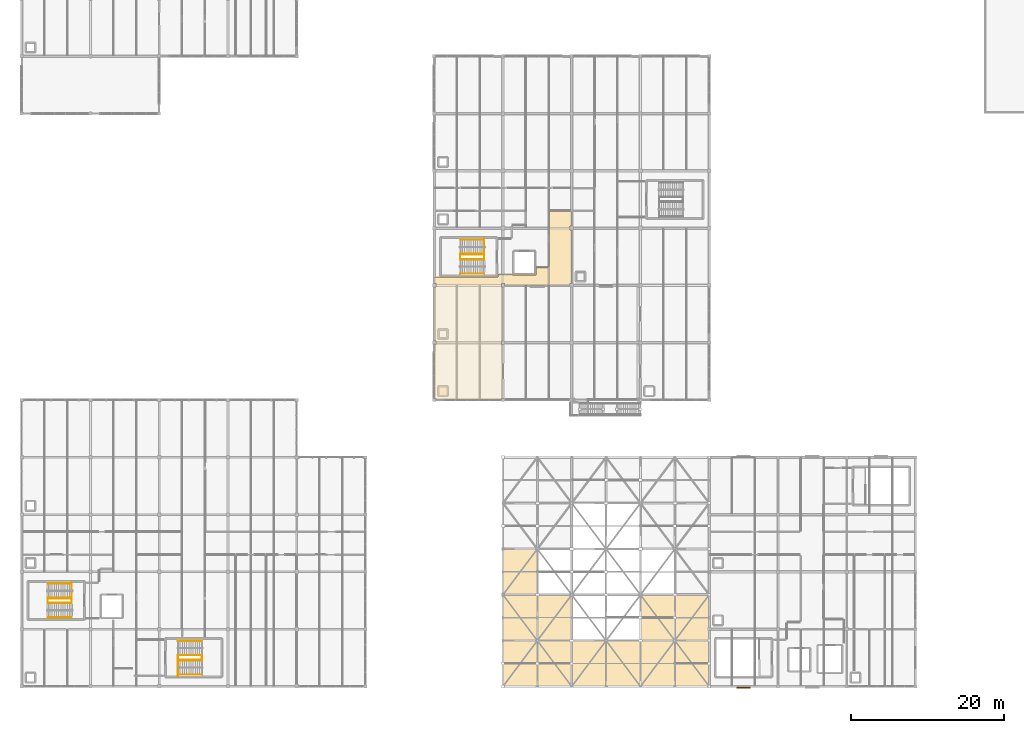
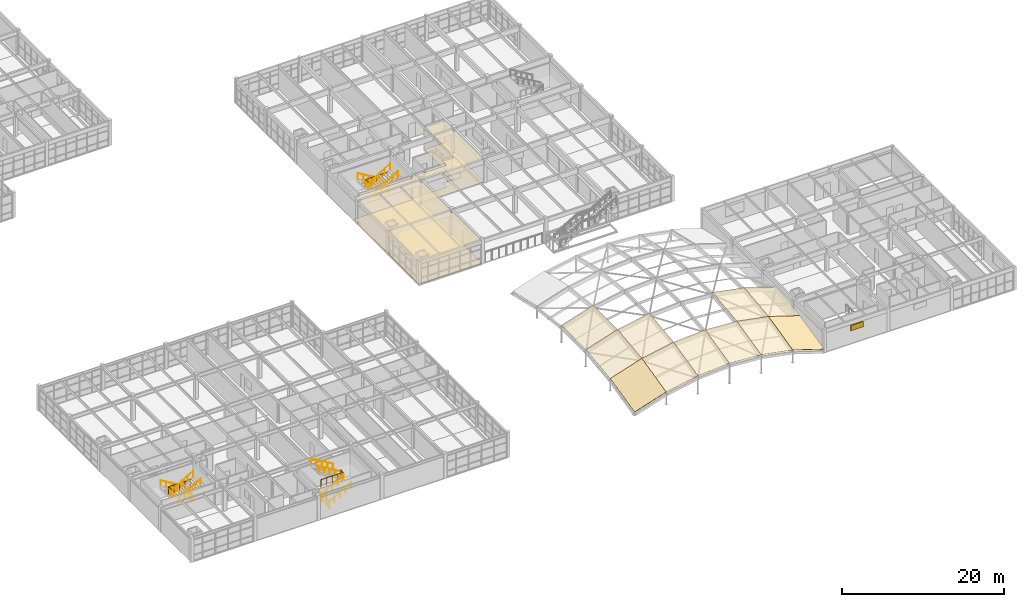
# One storey, part 79 of 81: 18 railings, 13 coverings, 1 shading device.
"""IFC4 building model written with IfcOpenShell, lengths in metres."""

from ifc_helpers import new_model, si_unit, direction, frame, origin, origin_2d, place, context, subcontext, project, spatial, polyline, rectangle, circle, outline, extrude, material, layer, layer_set, type_object, element, save


model = new_model("IFC4")

# Units and contexts
model_context = context("Model", 3, precision=1e-05, world=origin(), true_north=direction((0.0, 1.0)))
body_context = subcontext(model_context, "Body", "Model", "MODEL_VIEW")
ifc_project = project(units=[si_unit("LENGTHUNIT", "METRE"), si_unit("AREAUNIT", "SQUARE_METRE"), si_unit("VOLUMEUNIT", "CUBIC_METRE"), si_unit("PLANEANGLEUNIT", "RADIAN"), si_unit("MASSUNIT", "GRAM", prefix="KILO")], contexts=[model_context])

# Site, building, storey
site_placement = place(None, origin())
site = spatial("IfcSite", under=ifc_project, at=site_placement, CompositionType="ELEMENT")
building_placement = place(site_placement, origin())
building = spatial("IfcBuilding", under=site, at=building_placement, Name="Marnridge Secondary College", CompositionType="ELEMENT")
storey_placement = place(building_placement, frame((0.0, 0.0, 8.5)))
storey = spatial("IfcBuildingStorey", under=building, at=storey_placement, Name="L02", CompositionType="ELEMENT", Elevation=8.5)

# Coverings
ifc_material_1 = material(Name="Perforated acoustic mineral-fibre ceiling tile", Category="gypsum")
ifc_layer_1 = layer(ifc_material_1, 0.02490234375)
ifc_layer_set_1 = layer_set([ifc_layer_1], Name="CV-CEIL-AC")
covering_type_1 = type_object("IfcCoveringType", Name="CV-CEIL-AC", PredefinedType="CEILING", material=ifc_layer_set_1)
covering_1_placement = place(storey_placement, frame((0.0, 0.0, 3.280029296875)))
element("IfcCovering", 1, at=covering_1_placement, inside=storey, type_object=covering_type_1, Name="Acoustic ceiling CVC-003", PredefinedType="CEILING", context=body_context, shape_type="SweptSolid", body=[
    extrude(outline(polyline([(64.258544921875, 53.858642578125), (64.258544921875, 53.858642578125), (64.2587890625, 53.8583984375), (64.2587890625, 53.8583984375), (64.259033203125, 53.858154296875), (64.25927734375, 53.858154296875), (64.259521484375, 53.858154296875), (64.259521484375, 53.85791015625), (64.259765625, 53.85791015625), (64.260009765625, 53.85791015625), (67.340087890625, 53.85791015625), (67.340087890625, 53.85791015625), (67.34033203125, 53.85791015625), (67.340576171875, 53.858154296875), (67.3408203125, 53.858154296875), (67.3408203125, 53.858154296875), (67.341064453125, 53.8583984375), (67.34130859375, 53.8583984375), (67.34130859375, 53.858642578125), (67.341552734375, 53.858642578125), (67.341796875, 53.85888671875), (67.341796875, 53.859130859375), (67.341796875, 53.859130859375), (67.341796875, 53.859375), (67.342041015625, 53.859619140625), (67.342041015625, 53.85986328125), (67.342041015625, 53.860107421875), (67.342041015625, 54.847900390625), (68.89990234375, 54.847900390625), (68.900146484375, 54.847900390625), (68.900390625, 54.847900390625), (68.900634765625, 54.84814453125), (68.90087890625, 54.84814453125), (68.90087890625, 54.84814453125), (68.901123046875, 54.848388671875), (68.9013671875, 54.848388671875), (68.9013671875, 54.8486328125), (68.901611328125, 54.8486328125), (68.901611328125, 54.848876953125), (68.90185546875, 54.84912109375), (68.90185546875, 54.84912109375), (68.90185546875, 54.849365234375), (68.902099609375, 54.849609375), (68.902099609375, 54.849853515625), (68.902099609375, 54.85009765625), (68.902099609375, 55.048095703125), (69.0, 55.048095703125), (69.000244140625, 55.048095703125), (69.00048828125, 55.048095703125), (69.00048828125, 55.048095703125), (69.000732421875, 55.048095703125), (69.0009765625, 55.048095703125), (69.001220703125, 55.04833984375), (69.001220703125, 55.048583984375), (69.00146484375, 55.048583984375), (69.00146484375, 55.048583984375), (69.001708984375, 55.048828125), (69.001708984375, 55.049072265625), (69.001708984375, 55.04931640625), (69.001953125, 55.04931640625), (69.001953125, 55.049560546875), (69.001953125, 55.0498046875), (69.001953125, 55.050048828125), (69.001953125, 62.248046875), (71.998046875, 62.248046875), (71.998046875, 60.25), (71.75, 60.25), (71.75, 59.75), (71.998046875, 59.75), (71.998046875, 52.72509765625), (71.77490234375, 52.72509765625), (71.77490234375, 52.501953125), (63.22509765625, 52.501953125), (63.22509765625, 52.72509765625), (62.77490234375, 52.72509765625), (62.77490234375, 52.27490234375), (62.998046875, 52.27490234375), (62.998046875, 45.22509765625), (62.77490234375, 45.22509765625), (62.77490234375, 44.77490234375), (62.998046875, 44.77490234375), (62.998046875, 37.699951171875), (62.800048828125, 37.699951171875), (62.800048828125, 37.501953125), (54.199951171875, 37.501953125), (54.199951171875, 37.699951171875), (54.001953125, 37.699951171875), (54.001953125, 44.77490234375), (54.22509765625, 44.77490234375), (54.22509765625, 45.22509765625), (54.001953125, 45.22509765625), (54.001953125, 52.27490234375), (54.22509765625, 52.27490234375), (54.22509765625, 52.72509765625), (54.001953125, 52.72509765625), (54.001953125, 53.60791015625), (62.340087890625, 53.60791015625), (62.340087890625, 53.60791015625), (62.34033203125, 53.60791015625), (62.340576171875, 53.608154296875), (62.3408203125, 53.608154296875), (62.3408203125, 53.608154296875), (62.341064453125, 53.6083984375), (62.34130859375, 53.6083984375), (62.34130859375, 53.608642578125), (62.341552734375, 53.608642578125), (62.341796875, 53.60888671875), (62.341796875, 53.609130859375), (62.341796875, 53.609130859375), (62.341796875, 53.609375), (62.342041015625, 53.609619140625), (62.342041015625, 53.60986328125), (62.342041015625, 53.610107421875), (62.342041015625, 53.89794921875), (64.258056640625, 53.89794921875), (64.258056640625, 53.860107421875), (64.258056640625, 53.85986328125), (64.258056640625, 53.859619140625), (64.258056640625, 53.859375), (64.25830078125, 53.859130859375), (64.25830078125, 53.859130859375), (64.25830078125, 53.85888671875), (64.258544921875, 53.858642578125)])), origin(), (0.0, 0.0, 1.0), 0.02490234375),
])
ifc_material_2 = material(Name="Acoustic natural linoleum classroom flooring", Category="wood")
ifc_layer_2 = layer(ifc_material_2, 0.011962890625)
ifc_layer_set_2 = layer_set([ifc_layer_2], Name="CV-FLR-LINO")
covering_type_2 = type_object("IfcCoveringType", Name="CV-FLR-LINO", PredefinedType="FLOORING", material=ifc_layer_set_2)
covering_2_placement = place(storey_placement, origin())
element("IfcCovering", 2, at=covering_2_placement, inside=storey, type_object=covering_type_2, Name="Linoleum flooring CVF-003", PredefinedType="FLOORING", context=body_context, shape_type="SweptSolid", body=[
    extrude(outline(polyline([(64.258544921875, 53.858642578125), (64.258544921875, 53.858642578125), (64.2587890625, 53.8583984375), (64.2587890625, 53.8583984375), (64.259033203125, 53.858154296875), (64.25927734375, 53.858154296875), (64.259521484375, 53.858154296875), (64.259521484375, 53.85791015625), (64.259765625, 53.85791015625), (64.260009765625, 53.85791015625), (67.340087890625, 53.85791015625), (67.340087890625, 53.85791015625), (67.34033203125, 53.85791015625), (67.340576171875, 53.858154296875), (67.3408203125, 53.858154296875), (67.3408203125, 53.858154296875), (67.341064453125, 53.8583984375), (67.34130859375, 53.8583984375), (67.34130859375, 53.858642578125), (67.341552734375, 53.858642578125), (67.341796875, 53.85888671875), (67.341796875, 53.859130859375), (67.341796875, 53.859130859375), (67.341796875, 53.859375), (67.342041015625, 53.859619140625), (67.342041015625, 53.85986328125), (67.342041015625, 53.860107421875), (67.342041015625, 54.847900390625), (68.89990234375, 54.847900390625), (68.900146484375, 54.847900390625), (68.900390625, 54.847900390625), (68.900634765625, 54.84814453125), (68.90087890625, 54.84814453125), (68.90087890625, 54.84814453125), (68.901123046875, 54.848388671875), (68.9013671875, 54.848388671875), (68.9013671875, 54.8486328125), (68.901611328125, 54.8486328125), (68.901611328125, 54.848876953125), (68.90185546875, 54.84912109375), (68.90185546875, 54.84912109375), (68.90185546875, 54.849365234375), (68.902099609375, 54.849609375), (68.902099609375, 54.849853515625), (68.902099609375, 54.85009765625), (68.902099609375, 55.048095703125), (69.0, 55.048095703125), (69.000244140625, 55.048095703125), (69.00048828125, 55.048095703125), (69.00048828125, 55.048095703125), (69.000732421875, 55.048095703125), (69.0009765625, 55.048095703125), (69.001220703125, 55.04833984375), (69.001220703125, 55.048583984375), (69.00146484375, 55.048583984375), (69.00146484375, 55.048583984375), (69.001708984375, 55.048828125), (69.001708984375, 55.049072265625), (69.001708984375, 55.04931640625), (69.001953125, 55.04931640625), (69.001953125, 55.049560546875), (69.001953125, 55.0498046875), (69.001953125, 55.050048828125), (69.001953125, 62.248046875), (71.998046875, 62.248046875), (71.998046875, 60.25), (71.75, 60.25), (71.75, 59.75), (71.998046875, 59.75), (71.998046875, 52.72509765625), (71.77490234375, 52.72509765625), (71.77490234375, 52.501953125), (63.22509765625, 52.501953125), (63.22509765625, 52.72509765625), (62.77490234375, 52.72509765625), (62.77490234375, 52.27490234375), (62.998046875, 52.27490234375), (62.998046875, 45.22509765625), (62.77490234375, 45.22509765625), (62.77490234375, 44.77490234375), (62.998046875, 44.77490234375), (62.998046875, 37.699951171875), (62.800048828125, 37.699951171875), (62.800048828125, 37.501953125), (54.199951171875, 37.501953125), (54.199951171875, 37.699951171875), (54.001953125, 37.699951171875), (54.001953125, 44.77490234375), (54.22509765625, 44.77490234375), (54.22509765625, 45.22509765625), (54.001953125, 45.22509765625), (54.001953125, 52.27490234375), (54.22509765625, 52.27490234375), (54.22509765625, 52.72509765625), (54.001953125, 52.72509765625), (54.001953125, 53.60791015625), (62.340087890625, 53.60791015625), (62.340087890625, 53.60791015625), (62.34033203125, 53.60791015625), (62.340576171875, 53.608154296875), (62.3408203125, 53.608154296875), (62.3408203125, 53.608154296875), (62.341064453125, 53.6083984375), (62.34130859375, 53.6083984375), (62.34130859375, 53.608642578125), (62.341552734375, 53.608642578125), (62.341796875, 53.60888671875), (62.341796875, 53.609130859375), (62.341796875, 53.609130859375), (62.341796875, 53.609375), (62.342041015625, 53.609619140625), (62.342041015625, 53.60986328125), (62.342041015625, 53.610107421875), (62.342041015625, 53.89794921875), (64.258056640625, 53.89794921875), (64.258056640625, 53.860107421875), (64.258056640625, 53.85986328125), (64.258056640625, 53.859619140625), (64.258056640625, 53.859375), (64.25830078125, 53.859130859375), (64.25830078125, 53.859130859375), (64.25830078125, 53.85888671875), (64.258544921875, 53.858642578125)])), origin(), (0.0, 0.0, 1.0), 0.011962890625),
])
ifc_material_3 = material(Name="Pre-weathered standing-seam zinc roofing", Category="steel")
ifc_layer_3 = layer(ifc_material_3, 0.044921875)
ifc_layer_set_3 = layer_set([ifc_layer_3], Name="CV-ROOF-ZINC")
covering_type_3 = type_object("IfcCoveringType", Name="CV-ROOF-ZINC", PredefinedType="ROOFING", material=ifc_layer_set_3)
covering_3_placement = place(storey_placement, frame((63.0, 0.0, 0.382568359375), z_axis=(-0.298253735682, -0.218056452038, 0.929244904681), x_axis=(0.952157472021, 0.0, 0.305607834444)))
element("IfcCovering", 3, at=covering_3_placement, inside=storey, type_object=covering_type_3, Name="Standing-seam zinc roof panel CVR-V3-0101", PredefinedType="ROOFING", context=body_context, shape_type="SweptSolid", body=[
    extrude(outline(polyline([(0.0, 0.0), (4.726109002165947, -5.551115123125783e-17), (5.156392298367292, 6.147943134633922), (0.43028329620134503, 6.147943134633923), (0.0, 0.0)])), origin(), (0.0, 0.0, -1.0), 0.044921875),
])
covering_4_placement = place(storey_placement, frame((63.0, 6.0, 1.79052734375), z_axis=(-0.303741720179, -0.111025004243, 0.946263396659), x_axis=(0.952150048565, -2.713558e-06, 0.305630962127)))
element("IfcCovering", 4, at=covering_4_placement, inside=storey, type_object=covering_type_3, Name="Standing-seam zinc roof panel CVR-V3-0102", PredefinedType="ROOFING", context=body_context, shape_type="SweptSolid", body=[
    extrude(outline(polyline([(0.0, 0.0), (4.7261090007543505, 2.7755575615628914e-17), (4.941287957386338, 6.0373385703963125), (0.2151043396978746, 6.037312761488255), (0.0, 0.0)])), origin(), (0.0, 0.0, -1.0), 0.044921875),
])
covering_5_placement = place(storey_placement, frame((63.0, 12.0, 2.494384765625), z_axis=(-0.30565466654, 0.0, 0.952142439356), x_axis=(0.952142439356, 0.0, 0.30565466654)))
element("IfcCovering", 5, at=covering_5_placement, inside=storey, type_object=covering_type_3, Name="Standing-seam zinc roof panel CVR-V3-0103", PredefinedType="ROOFING", context=body_context, shape_type="SweptSolid", body=[
    extrude(outline(polyline([(0.0, 0.0), (4.726183619170507, 0.0), (4.726183619170507, 6.0), (0.0, 6.0), (0.0, 0.0)])), origin(), (0.0, 0.0, -1.0), 0.044921875),
])
covering_6_placement = place(storey_placement, frame((67.5, 0.0, 1.826904296875), z_axis=(-0.1842946687, -0.224540990364, 0.956878685485), x_axis=(0.981953209644, 0.0, 0.189124017699)))
element("IfcCovering", 6, at=covering_6_placement, inside=storey, type_object=covering_type_3, Name="Standing-seam zinc roof panel CVR-V3-0201", PredefinedType="ROOFING", context=body_context, shape_type="SweptSolid", body=[
    extrude(outline(polyline([(0.0, 0.0), (4.5827030817828325, -2.7755575615628914e-17), (4.84898194166374, 6.15722697896243), (0.2662788598809081, 6.15722697896243), (0.0, 0.0)])), origin(), (0.0, 0.0, -1.0), 0.044921875),
])
covering_7_placement = place(storey_placement, frame((67.5, 6.0, 3.23486328125), z_axis=(-0.187880742118, -0.11447494231, 0.975497982737), x_axis=(0.981953209644, 0.0, 0.189124017699)))
element("IfcCovering", 7, at=covering_7_placement, inside=storey, type_object=covering_type_3, Name="Standing-seam zinc roof panel CVR-V3-0202", PredefinedType="ROOFING", context=body_context, shape_type="SweptSolid", body=[
    extrude(outline(polyline([(0.0, 0.0), (4.5827030817828325, 0.0), (4.715865598151228, 6.039704194292084), (0.13316251636839585, 6.039704194292084), (0.0, 0.0)])), origin(), (0.0, 0.0, -1.0), 0.044921875),
])
covering_8_placement = place(storey_placement, frame((72.0, 0.0, 2.693603515625), z_axis=(-0.062362923311, -0.228009496238, 0.971659680866), x_axis=(0.997946686081, 0.0, 0.064050072137)))
element("IfcCovering", 8, at=covering_8_placement, inside=storey, type_object=covering_type_3, Name="Standing-seam zinc roof panel CVR-V3-0301", PredefinedType="ROOFING", context=body_context, shape_type="SweptSolid", body=[
    extrude(outline(polyline([(0.0, 0.0), (4.5092589241151435, -1.3877787807814457e-17), (4.599438798630617, 6.162322296984689), (0.09017987451547263, 6.162322296984689), (0.0, 0.0)])), origin(), (0.0, 0.0, -1.0), 0.044921875),
])
covering_9_placement = place(storey_placement, frame((76.5, 0.0, 2.982421875), z_axis=(0.062362923311, -0.228009496238, 0.971659680866), x_axis=(0.997946686081, 0.0, -0.064050072137)))
element("IfcCovering", 9, at=covering_9_placement, inside=storey, type_object=covering_type_3, Name="Standing-seam zinc roof panel CVR-V3-0401", PredefinedType="ROOFING", context=body_context, shape_type="SweptSolid", body=[
    extrude(outline(polyline([(0.0, 0.0), (4.5092589241151435, 1.3877787807814457e-17), (4.419079049599671, 6.16232229698469), (-0.09017987451547263, 6.162322296984689), (0.0, 0.0)])), origin(), (0.0, 0.0, -1.0), 0.044921875),
])
covering_10_placement = place(storey_placement, frame((81.0, 0.0, 2.693603515625), z_axis=(0.1842946687, -0.224540990364, 0.956878685485), x_axis=(0.981953209644, 0.0, -0.189124017699)))
element("IfcCovering", 10, at=covering_10_placement, inside=storey, type_object=covering_type_3, Name="Standing-seam zinc roof panel CVR-V3-0501", PredefinedType="ROOFING", context=body_context, shape_type="SweptSolid", body=[
    extrude(outline(polyline([(0.0, 0.0), (4.5827030817828325, 2.7755575615628914e-17), (4.316424221901924, 6.157226978962431), (-0.2662788598809081, 6.15722697896243), (0.0, 0.0)])), origin(), (0.0, 0.0, -1.0), 0.044921875),
])
covering_11_placement = place(storey_placement, frame((81.0, 6.0, 4.1015625), z_axis=(0.187880742118, -0.11447494231, 0.975497982737), x_axis=(0.981953209644, 0.0, -0.189124017699)))
element("IfcCovering", 11, at=covering_11_placement, inside=storey, type_object=covering_type_3, Name="Standing-seam zinc roof panel CVR-V3-0502", PredefinedType="ROOFING", context=body_context, shape_type="SweptSolid", body=[
    extrude(outline(polyline([(0.0, 0.0), (4.5827030817828325, 0.0), (4.449540565414436, 6.039704194292084), (-0.13316251636839585, 6.039704194292084), (0.0, 0.0)])), origin(), (0.0, 0.0, -1.0), 0.044921875),
])
covering_12_placement = place(storey_placement, frame((85.5, 0.0, 1.826904296875), z_axis=(0.298253735682, -0.218056452038, 0.929244904681), x_axis=(0.952157472021, 0.0, -0.305607834444)))
element("IfcCovering", 12, at=covering_12_placement, inside=storey, type_object=covering_type_3, Name="Standing-seam zinc roof panel CVR-V3-0601", PredefinedType="ROOFING", context=body_context, shape_type="SweptSolid", body=[
    extrude(outline(polyline([(0.0, 0.0), (4.726109002165947, 5.551115123125783e-17), (4.295825705964602, 6.147943134633923), (-0.43028329620134503, 6.147943134633923), (0.0, 0.0)])), origin(), (0.0, 0.0, -1.0), 0.044921875),
])
covering_13_placement = place(storey_placement, frame((85.5, 6.0, 3.23486328125), z_axis=(0.303741720179, -0.111025004243, 0.946263396659), x_axis=(0.952150048565, 2.713558e-06, -0.305630962127)))
element("IfcCovering", 13, at=covering_13_placement, inside=storey, type_object=covering_type_3, Name="Standing-seam zinc roof panel CVR-V3-0602", PredefinedType="ROOFING", context=body_context, shape_type="SweptSolid", body=[
    extrude(outline(polyline([(0.0, 0.0), (4.7261090007543505, -2.7755575615628914e-17), (4.511004661056476, 6.037312761488255), (-0.21517895663198763, 6.0373385703963125), (0.0, 0.0)])), origin(), (0.0, 0.0, -1.0), 0.044921875),
])

# Railings
ifc_material_4 = material(Name="Stainless steel Grade 350 (350 MPa) 48 mm handrail", Category="steel")
railing_type_1 = type_object("IfcRailingType", Name="RL-HND-900", PredefinedType="HANDRAIL", material=ifc_material_4)
for number, where, name in (
    (14, (60.550048828125, 56.590087890625, 0.0), "Stair handrail HR-013"),
    (15, (60.550048828125, 58.469970703125, 0.0), "Stair handrail HR-014"),
):
    element("IfcRailing", number, at=place(storey_placement, frame(where)), inside=storey, type_object=railing_type_1, Name=name, PredefinedType="HANDRAIL", context=body_context, shape_type="SweptSolid", body=[
        extrude(circle(Radius=0.02392578125, at=origin_2d()), frame((0.0, 0.0, 0.8759765625), z_axis=(-0.855210355142, 0.0, 0.518281051609), x_axis=(0.0, -1.0, 0.0)), (0.0, 0.0, 1.0), 3.665771484375),
        extrude(circle(Radius=0.02099609375, at=origin_2d()), origin(), (0.0, 0.0, 1.0), 0.851806640625),
        extrude(circle(Radius=0.02099609375, at=origin_2d()), frame((-0.78369140625, 0.0, 0.47509765625)), (0.0, 0.0, 1.0), 0.851806640625),
        extrude(circle(Radius=0.02099609375, at=origin_2d()), frame((-1.5673828125, 0.0, 0.949951171875)), (0.0, 0.0, 1.0), 0.851806640625),
        extrude(circle(Radius=0.02099609375, at=origin_2d()), frame((-2.351318359375, 0.0, 1.4248046875)), (0.0, 0.0, 1.0), 0.851806640625),
        extrude(circle(Radius=0.02099609375, at=origin_2d()), frame((-3.135009765625, 0.0, 1.89990234375)), (0.0, 0.0, 1.0), 0.851806640625),
    ])
for number, where, name in (
    (16, (57.4150390625, 54.030029296875, 1.89990234375), "Stair handrail HR-015"),
    (17, (57.4150390625, 55.909912109375, 1.89990234375), "Stair handrail HR-016"),
):
    element("IfcRailing", number, at=place(storey_placement, frame(where)), inside=storey, type_object=railing_type_1, Name=name, PredefinedType="HANDRAIL", context=body_context, shape_type="SweptSolid", body=[
        extrude(circle(Radius=0.02392578125, at=origin_2d()), frame((0.0, 0.0, 0.8759765625), z_axis=(0.855180835044, 0.0, 0.518329759298), x_axis=(0.0, 1.0, 0.0)), (0.0, 0.0, 1.0), 3.666015625),
        extrude(circle(Radius=0.02099609375, at=origin_2d()), origin(), (0.0, 0.0, 1.0), 0.851806640625),
        extrude(circle(Radius=0.02099609375, at=origin_2d()), frame((0.78369140625, 0.0, 0.47509765625)), (0.0, 0.0, 1.0), 0.851806640625),
        extrude(circle(Radius=0.02099609375, at=origin_2d()), frame((1.5673828125, 0.0, 0.9501953125)), (0.0, 0.0, 1.0), 0.851806640625),
        extrude(circle(Radius=0.02099609375, at=origin_2d()), frame((2.351318359375, 0.0, 1.425048828125)), (0.0, 0.0, 1.0), 0.851806640625),
        extrude(circle(Radius=0.02099609375, at=origin_2d()), frame((3.135009765625, 0.0, 1.900146484375)), (0.0, 0.0, 1.0), 0.851806640625),
    ])
for number, where, name in (
    (18, (6.550048828125, 11.590087890625, 0.0), "Stair handrail HR-073"),
    (19, (6.550048828125, 13.469970703125, 0.0), "Stair handrail HR-074"),
):
    element("IfcRailing", number, at=place(storey_placement, frame(where)), inside=storey, type_object=railing_type_1, Name=name, PredefinedType="HANDRAIL", context=body_context, shape_type="SweptSolid", body=[
        extrude(circle(Radius=0.02392578125, at=origin_2d()), frame((0.0, 0.0, 0.8759765625), z_axis=(-0.855210355142, 0.0, 0.518281051609), x_axis=(0.0, -1.0, 0.0)), (0.0, 0.0, 1.0), 3.665771484375),
        extrude(circle(Radius=0.02099609375, at=origin_2d()), origin(), (0.0, 0.0, 1.0), 0.851806640625),
        extrude(circle(Radius=0.02099609375, at=origin_2d()), frame((-0.78369140625, 0.0, 0.47509765625)), (0.0, 0.0, 1.0), 0.851806640625),
        extrude(circle(Radius=0.02099609375, at=origin_2d()), frame((-1.5673828125, 0.0, 0.949951171875)), (0.0, 0.0, 1.0), 0.851806640625),
        extrude(circle(Radius=0.02099609375, at=origin_2d()), frame((-2.351318359375, 0.0, 1.4248046875)), (0.0, 0.0, 1.0), 0.851806640625),
        extrude(circle(Radius=0.02099609375, at=origin_2d()), frame((-3.135009765625, 0.0, 1.89990234375)), (0.0, 0.0, 1.0), 0.851806640625),
    ])
for number, where, name in (
    (20, (3.4150390625, 9.030029296875, 1.89990234375), "Stair handrail HR-075"),
    (21, (3.4150390625, 10.909912109375, 1.89990234375), "Stair handrail HR-076"),
):
    element("IfcRailing", number, at=place(storey_placement, frame(where)), inside=storey, type_object=railing_type_1, Name=name, PredefinedType="HANDRAIL", context=body_context, shape_type="SweptSolid", body=[
        extrude(circle(Radius=0.02392578125, at=origin_2d()), frame((0.0, 0.0, 0.8759765625), z_axis=(0.855180835044, 0.0, 0.518329759298), x_axis=(0.0, 1.0, 0.0)), (0.0, 0.0, 1.0), 3.666015625),
        extrude(circle(Radius=0.02099609375, at=origin_2d()), origin(), (0.0, 0.0, 1.0), 0.851806640625),
        extrude(circle(Radius=0.02099609375, at=origin_2d()), frame((0.78369140625, 0.0, 0.47509765625)), (0.0, 0.0, 1.0), 0.851806640625),
        extrude(circle(Radius=0.02099609375, at=origin_2d()), frame((1.5673828125, 0.0, 0.9501953125)), (0.0, 0.0, 1.0), 0.851806640625),
        extrude(circle(Radius=0.02099609375, at=origin_2d()), frame((2.351318359375, 0.0, 1.425048828125)), (0.0, 0.0, 1.0), 0.851806640625),
        extrude(circle(Radius=0.02099609375, at=origin_2d()), frame((3.135009765625, 0.0, 1.900146484375)), (0.0, 0.0, 1.0), 0.851806640625),
    ])
for number, where, name in (
    (22, (20.449951171875, 1.530029296875, 0.0), "Stair handrail HR-097"),
    (23, (20.449951171875, 3.409912109375, 0.0), "Stair handrail HR-098"),
):
    element("IfcRailing", number, at=place(storey_placement, frame(where)), inside=storey, type_object=railing_type_1, Name=name, PredefinedType="HANDRAIL", context=body_context, shape_type="SweptSolid", body=[
        extrude(circle(Radius=0.02392578125, at=origin_2d()), frame((0.0, 0.0, 0.8759765625), z_axis=(0.855210355142, 0.0, 0.518281051609), x_axis=(0.0, 1.0, 0.0)), (0.0, 0.0, 1.0), 3.665771484375),
        extrude(circle(Radius=0.02099609375, at=origin_2d()), origin(), (0.0, 0.0, 1.0), 0.851806640625),
        extrude(circle(Radius=0.02099609375, at=origin_2d()), frame((0.78369140625, 0.0, 0.47509765625)), (0.0, 0.0, 1.0), 0.851806640625),
        extrude(circle(Radius=0.02099609375, at=origin_2d()), frame((1.5673828125, 0.0, 0.949951171875)), (0.0, 0.0, 1.0), 0.851806640625),
        extrude(circle(Radius=0.02099609375, at=origin_2d()), frame((2.351318359375, 0.0, 1.4248046875)), (0.0, 0.0, 1.0), 0.851806640625),
        extrude(circle(Radius=0.02099609375, at=origin_2d()), frame((3.135009765625, 0.0, 1.89990234375)), (0.0, 0.0, 1.0), 0.851806640625),
    ])
for number, where, name in (
    (24, (23.5849609375, 4.090087890625, 1.89990234375), "Stair handrail HR-099"),
    (25, (23.5849609375, 5.969970703125, 1.89990234375), "Stair handrail HR-100"),
):
    element("IfcRailing", number, at=place(storey_placement, frame(where)), inside=storey, type_object=railing_type_1, Name=name, PredefinedType="HANDRAIL", context=body_context, shape_type="SweptSolid", body=[
        extrude(circle(Radius=0.02392578125, at=origin_2d()), frame((0.0, 0.0, 0.8759765625), z_axis=(-0.855180835044, 0.0, 0.518329759298), x_axis=(0.0, -1.0, 0.0)), (0.0, 0.0, 1.0), 3.666015625),
        extrude(circle(Radius=0.02099609375, at=origin_2d()), origin(), (0.0, 0.0, 1.0), 0.851806640625),
        extrude(circle(Radius=0.02099609375, at=origin_2d()), frame((-0.78369140625, 0.0, 0.47509765625)), (0.0, 0.0, 1.0), 0.851806640625),
        extrude(circle(Radius=0.02099609375, at=origin_2d()), frame((-1.5673828125, 0.0, 0.9501953125)), (0.0, 0.0, 1.0), 0.851806640625),
        extrude(circle(Radius=0.02099609375, at=origin_2d()), frame((-2.351318359375, 0.0, 1.425048828125)), (0.0, 0.0, 1.0), 0.851806640625),
        extrude(circle(Radius=0.02099609375, at=origin_2d()), frame((-3.135009765625, 0.0, 1.900146484375)), (0.0, 0.0, 1.0), 0.851806640625),
    ])
ifc_material_5 = material(Name="Painted steel Grade C350L0 (350 MPa) stair-well guard", Category="steel")
railing_type_2 = type_object("IfcRailingType", Name="RL-STAIR-1150", PredefinedType="BALUSTRADE", material=ifc_material_5)
railing_1_placement = place(storey_placement, frame((60.550048828125, 58.6298828125, 0.0)))
element("IfcRailing", 26, at=railing_1_placement, inside=storey, type_object=railing_type_2, Name="Stair well arrival guard GS-012", PredefinedType="BALUSTRADE", context=body_context, shape_type="SweptSolid", body=[
    extrude(circle(Radius=0.02392578125, at=origin_2d()), frame((0.0, 0.0, 1.1259765625), z_axis=(0.0, -1.0, 0.0), x_axis=(1.0, 0.0, 0.0)), (0.0, 0.0, 1.0), 2.4599609375),
    extrude(circle(Radius=0.02099609375, at=origin_2d()), origin(), (0.0, 0.0, 1.0), 1.101806640625),
    extrude(circle(Radius=0.02099609375, at=origin_2d()), frame((0.0, -0.820068359375, 0.0)), (0.0, 0.0, 1.0), 1.101806640625),
    extrude(circle(Radius=0.02099609375, at=origin_2d()), frame((0.0, -1.639892578125, 0.0)), (0.0, 0.0, 1.0), 1.101806640625),
    extrude(circle(Radius=0.02099609375, at=origin_2d()), frame((0.0, -2.4599609375, 0.0)), (0.0, 0.0, 1.0), 1.101806640625),
])
railing_2_placement = place(storey_placement, frame((60.550048828125, 56.530029296875, 1.89990234375)))
element("IfcRailing", 27, at=railing_2_placement, inside=storey, type_object=railing_type_2, Name="Stair well slot guard GS-017", PredefinedType="BALUSTRADE", context=body_context, shape_type="SweptSolid", body=[
    extrude(circle(Radius=0.02392578125, at=origin_2d()), frame((0.0, 0.0, 1.1259765625), z_axis=(-1.0, 0.0, 0.0), x_axis=(0.0, -1.0, 0.0)), (0.0, 0.0, 1.0), 3.135009765625),
    extrude(circle(Radius=0.02392578125, at=origin_2d()), frame((-3.135009765625, 0.0, 1.1259765625), z_axis=(0.0, -1.0, 0.0), x_axis=(1.0, 0.0, 0.0)), (0.0, 0.0, 1.0), 0.56005859375),
    extrude(circle(Radius=0.02099609375, at=origin_2d()), origin(), (0.0, 0.0, 1.0), 1.101806640625),
    extrude(circle(Radius=0.02099609375, at=origin_2d()), frame((-0.78369140625, 0.0, 0.0)), (0.0, 0.0, 1.0), 1.101806640625),
    extrude(circle(Radius=0.02099609375, at=origin_2d()), frame((-1.5673828125, 0.0, 0.0)), (0.0, 0.0, 1.0), 1.101806640625),
    extrude(circle(Radius=0.02099609375, at=origin_2d()), frame((-2.351318359375, 0.0, 0.0)), (0.0, 0.0, 1.0), 1.101806640625),
    extrude(circle(Radius=0.02099609375, at=origin_2d()), frame((-3.135009765625, 0.0, 0.0)), (0.0, 0.0, 1.0), 1.101806640625),
    extrude(circle(Radius=0.02099609375, at=origin_2d()), frame((-3.135009765625, -0.56005859375, 0.0)), (0.0, 0.0, 1.0), 1.101806640625),
])
railing_3_placement = place(storey_placement, frame((6.550048828125, 13.6298828125, 0.0)))
element("IfcRailing", 28, at=railing_3_placement, inside=storey, type_object=railing_type_2, Name="Stair well arrival guard GS-072", PredefinedType="BALUSTRADE", context=body_context, shape_type="SweptSolid", body=[
    extrude(circle(Radius=0.02392578125, at=origin_2d()), frame((0.0, 0.0, 1.1259765625), z_axis=(0.0, -1.0, 0.0), x_axis=(1.0, 0.0, 0.0)), (0.0, 0.0, 1.0), 2.4599609375),
    extrude(circle(Radius=0.02099609375, at=origin_2d()), origin(), (0.0, 0.0, 1.0), 1.101806640625),
    extrude(circle(Radius=0.02099609375, at=origin_2d()), frame((0.0, -0.820068359375, 0.0)), (0.0, 0.0, 1.0), 1.101806640625),
    extrude(circle(Radius=0.02099609375, at=origin_2d()), frame((0.0, -1.639892578125, 0.0)), (0.0, 0.0, 1.0), 1.101806640625),
    extrude(circle(Radius=0.02099609375, at=origin_2d()), frame((0.0, -2.4599609375, 0.0)), (0.0, 0.0, 1.0), 1.101806640625),
])
railing_4_placement = place(storey_placement, frame((6.550048828125, 11.530029296875, 1.89990234375)))
element("IfcRailing", 29, at=railing_4_placement, inside=storey, type_object=railing_type_2, Name="Stair well slot guard GS-077", PredefinedType="BALUSTRADE", context=body_context, shape_type="SweptSolid", body=[
    extrude(circle(Radius=0.02392578125, at=origin_2d()), frame((0.0, 0.0, 1.1259765625), z_axis=(-1.0, 0.0, 0.0), x_axis=(0.0, -1.0, 0.0)), (0.0, 0.0, 1.0), 3.135009765625),
    extrude(circle(Radius=0.02392578125, at=origin_2d()), frame((-3.135009765625, 0.0, 1.1259765625), z_axis=(0.0, -1.0, 0.0), x_axis=(1.0, 0.0, 0.0)), (0.0, 0.0, 1.0), 0.56005859375),
    extrude(circle(Radius=0.02099609375, at=origin_2d()), origin(), (0.0, 0.0, 1.0), 1.101806640625),
    extrude(circle(Radius=0.02099609375, at=origin_2d()), frame((-0.78369140625, 0.0, 0.0)), (0.0, 0.0, 1.0), 1.101806640625),
    extrude(circle(Radius=0.02099609375, at=origin_2d()), frame((-1.5673828125, 0.0, 0.0)), (0.0, 0.0, 1.0), 1.101806640625),
    extrude(circle(Radius=0.02099609375, at=origin_2d()), frame((-2.351318359375, 0.0, 0.0)), (0.0, 0.0, 1.0), 1.101806640625),
    extrude(circle(Radius=0.02099609375, at=origin_2d()), frame((-3.135009765625, 0.0, 0.0)), (0.0, 0.0, 1.0), 1.101806640625),
    extrude(circle(Radius=0.02099609375, at=origin_2d()), frame((-3.135009765625, -0.56005859375, 0.0)), (0.0, 0.0, 1.0), 1.101806640625),
])
railing_5_placement = place(storey_placement, frame((20.449951171875, 1.3701171875, 0.0)))
element("IfcRailing", 30, at=railing_5_placement, inside=storey, type_object=railing_type_2, Name="Stair well arrival guard GS-096", PredefinedType="BALUSTRADE", context=body_context, shape_type="SweptSolid", body=[
    extrude(circle(Radius=0.02392578125, at=origin_2d()), frame((0.0, 0.0, 1.1259765625), z_axis=(0.0, 1.0, 0.0), x_axis=(-1.0, 0.0, 0.0)), (0.0, 0.0, 1.0), 2.4599609375),
    extrude(circle(Radius=0.02099609375, at=origin_2d()), origin(), (0.0, 0.0, 1.0), 1.101806640625),
    extrude(circle(Radius=0.02099609375, at=origin_2d()), frame((0.0, 0.820068359375, 0.0)), (0.0, 0.0, 1.0), 1.101806640625),
    extrude(circle(Radius=0.02099609375, at=origin_2d()), frame((0.0, 1.639892578125, 0.0)), (0.0, 0.0, 1.0), 1.101806640625),
    extrude(circle(Radius=0.02099609375, at=origin_2d()), frame((0.0, 2.4599609375, 0.0)), (0.0, 0.0, 1.0), 1.101806640625),
])
railing_6_placement = place(storey_placement, frame((20.449951171875, 3.469970703125, 1.89990234375)))
element("IfcRailing", 31, at=railing_6_placement, inside=storey, type_object=railing_type_2, Name="Stair well slot guard GS-101", PredefinedType="BALUSTRADE", context=body_context, shape_type="SweptSolid", body=[
    extrude(circle(Radius=0.02392578125, at=origin_2d()), frame((0.0, 0.0, 1.1259765625), z_axis=(1.0, 0.0, 0.0), x_axis=(0.0, 1.0, 0.0)), (0.0, 0.0, 1.0), 3.135009765625),
    extrude(circle(Radius=0.02392578125, at=origin_2d()), frame((3.135009765625, 0.0, 1.1259765625), z_axis=(0.0, 1.0, 0.0), x_axis=(-1.0, 0.0, 0.0)), (0.0, 0.0, 1.0), 0.56005859375),
    extrude(circle(Radius=0.02099609375, at=origin_2d()), origin(), (0.0, 0.0, 1.0), 1.101806640625),
    extrude(circle(Radius=0.02099609375, at=origin_2d()), frame((0.78369140625, 0.0, 0.0)), (0.0, 0.0, 1.0), 1.101806640625),
    extrude(circle(Radius=0.02099609375, at=origin_2d()), frame((1.5673828125, 0.0, 0.0)), (0.0, 0.0, 1.0), 1.101806640625),
    extrude(circle(Radius=0.02099609375, at=origin_2d()), frame((2.351318359375, 0.0, 0.0)), (0.0, 0.0, 1.0), 1.101806640625),
    extrude(circle(Radius=0.02099609375, at=origin_2d()), frame((3.135009765625, 0.0, 0.0)), (0.0, 0.0, 1.0), 1.101806640625),
    extrude(circle(Radius=0.02099609375, at=origin_2d()), frame((3.135009765625, 0.56005859375, 0.0)), (0.0, 0.0, 1.0), 1.101806640625),
])

# Shading device
ifc_material_6 = material(Name="Anodised aluminium acoustic louvre bank", Category="aluminium")
shading_device_type = type_object("IfcShadingDeviceType", Name="SHD-LOUVRE-1", PredefinedType="JALOUSIE", material=ifc_material_6)
shading_device_placement = place(storey_placement, frame((94.5, -0.169921875, 2.0), z_axis=(0.0, 0.0, 1.0), x_axis=(1.0, 0.0, 0.0)))
element("IfcShadingDevice", 32, at=shading_device_placement, inside=storey, type_object=shading_device_type, Name="Acoustic plant louvre LV-07", PredefinedType="JALOUSIE", context=body_context, shape_type="SweptSolid", body=[
    extrude(rectangle(XDim=1.800048828125, YDim=0.14990234375, at=origin_2d()), origin(), (0.0, 0.0, 1.0), 0.800048828125),
])

save(model, "model.ifc")
